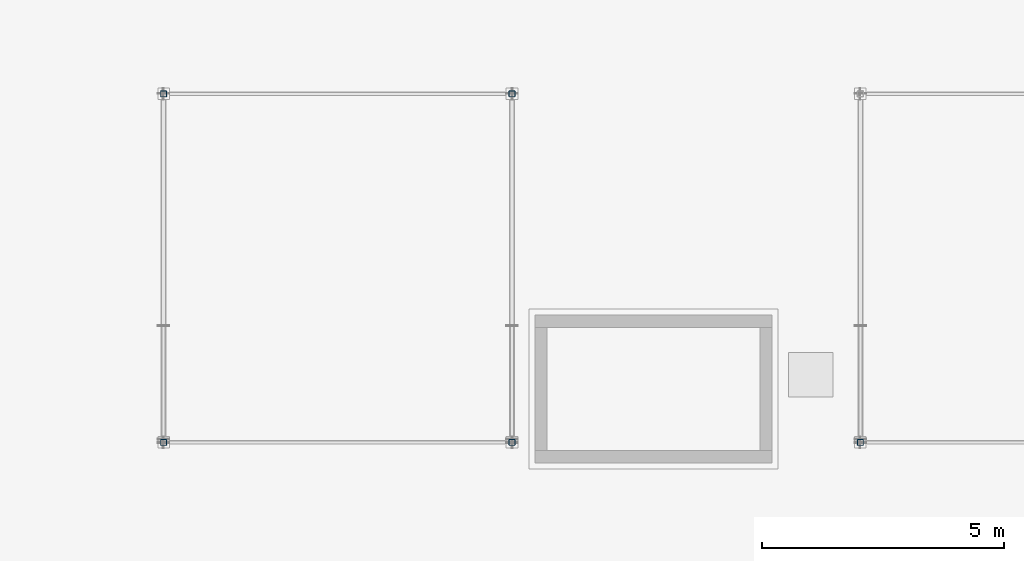
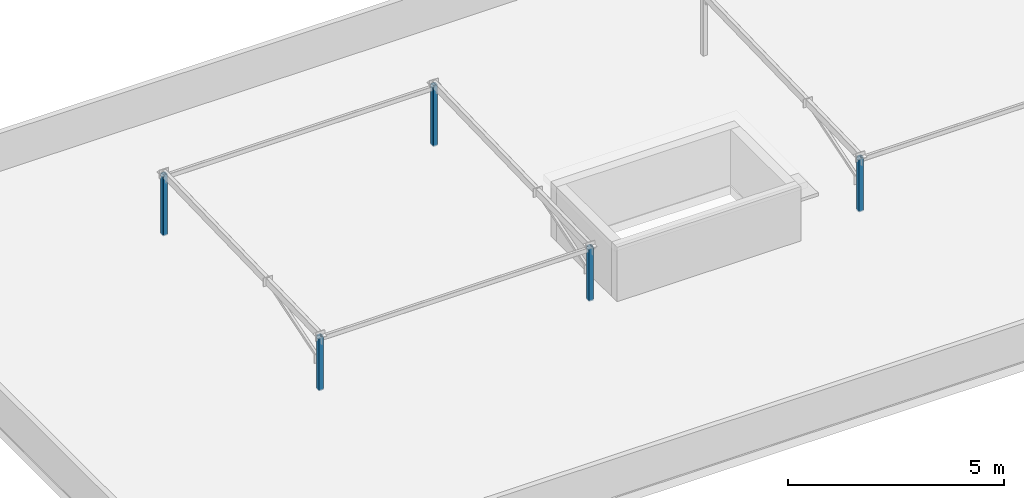
# One storey, part 1 of 31: 5 columns.
"""IFC4 building model written with IfcOpenShell, lengths in metres."""

from ifc_helpers import new_model, si_unit, direction, frame, origin, origin_2d, place, context, subcontext, project, spatial, hollow_rectangle, extrude, material, material_profile, profile_set, type_object, element, save


model = new_model("IFC4")

# Units and contexts
model_context = context("Model", 3, precision=1e-05, world=origin(), true_north=direction((0.0, 1.0)))
body_context = subcontext(model_context, "Body", "Model", "MODEL_VIEW")
ifc_project = project(units=[si_unit("LENGTHUNIT", "METRE"), si_unit("AREAUNIT", "SQUARE_METRE"), si_unit("VOLUMEUNIT", "CUBIC_METRE"), si_unit("PLANEANGLEUNIT", "RADIAN"), si_unit("MASSUNIT", "GRAM", prefix="KILO")], contexts=[model_context])

# Site, building, storey
site_placement = place(None, origin())
site = spatial("IfcSite", under=ifc_project, at=site_placement, CompositionType="ELEMENT")
building_placement = place(site_placement, origin())
building = spatial("IfcBuilding", under=site, at=building_placement, Name="Ochrevale Crest", CompositionType="ELEMENT")
storey_placement = place(building_placement, frame((0.0, 0.0, 37.050048828125)))
storey = spatial("IfcBuildingStorey", under=building, at=storey_placement, Name="L11", CompositionType="ELEMENT", Elevation=37.050048828125)

# Columns
ifc_material = material(Name="Steel S355", Category="steel")
ifc_material_profile = material_profile(ifc_material, hollow_rectangle(XDim=0.125, YDim=0.125, WallThickness=0.006103515625, InnerFilletRadius=0.006103515625, OuterFilletRadius=0.011962890625, at=origin_2d()), Name="125x125x6.0SHS")
ifc_profile_set = profile_set([ifc_material_profile], Name="Steel S355")
column_type = type_object("IfcColumnType", Name="COL-SHS125", PredefinedType="COLUMN", material=ifc_profile_set)
column_1_placement = place(storey_placement, frame((7.199951171875, 79.199951171875, 0.0), z_axis=(0.0, 0.0, 1.0), x_axis=(1.0, 0.0, 0.0)))
element("IfcColumn", 1, at=column_1_placement, inside=storey, type_object=column_type, Name="Block B solar-frame support post", PredefinedType="COLUMN", context=body_context, shape_type="SweptSolid", body=[
    extrude(hollow_rectangle(XDim=0.125, YDim=0.125, WallThickness=0.006103515625, InnerFilletRadius=0.006103515625, OuterFilletRadius=0.011962890625, at=origin_2d()), origin(), (0.0, 0.0, 1.0), 1.52001953125),
])
column_2_placement = place(storey_placement, frame((7.199951171875, 86.39990234375, 0.0), z_axis=(0.0, 0.0, 1.0), x_axis=(1.0, 0.0, 0.0)))
element("IfcColumn", 2, at=column_2_placement, inside=storey, type_object=column_type, Name="Block B solar-frame support post", PredefinedType="COLUMN", context=body_context, shape_type="SweptSolid", body=[
    extrude(hollow_rectangle(XDim=0.125, YDim=0.125, WallThickness=0.006103515625, InnerFilletRadius=0.006103515625, OuterFilletRadius=0.011962890625, at=origin_2d()), origin(), (0.0, 0.0, 1.0), 1.719970703125),
])
column_3_placement = place(storey_placement, frame((14.39990234375, 79.199951171875, 0.0), z_axis=(0.0, 0.0, 1.0), x_axis=(1.0, 0.0, 0.0)))
element("IfcColumn", 3, at=column_3_placement, inside=storey, type_object=column_type, Name="Block B solar-frame support post", PredefinedType="COLUMN", context=body_context, shape_type="SweptSolid", body=[
    extrude(hollow_rectangle(XDim=0.125, YDim=0.125, WallThickness=0.006103515625, InnerFilletRadius=0.006103515625, OuterFilletRadius=0.011962890625, at=origin_2d()), origin(), (0.0, 0.0, 1.0), 1.52001953125),
])
column_4_placement = place(storey_placement, frame((14.39990234375, 86.39990234375, 0.0), z_axis=(0.0, 0.0, 1.0), x_axis=(1.0, 0.0, 0.0)))
element("IfcColumn", 4, at=column_4_placement, inside=storey, type_object=column_type, Name="Block B solar-frame support post", PredefinedType="COLUMN", context=body_context, shape_type="SweptSolid", body=[
    extrude(hollow_rectangle(XDim=0.125, YDim=0.125, WallThickness=0.006103515625, InnerFilletRadius=0.006103515625, OuterFilletRadius=0.011962890625, at=origin_2d()), origin(), (0.0, 0.0, 1.0), 1.719970703125),
])
column_5_placement = place(storey_placement, frame((21.60009765625, 79.199951171875, 0.0), z_axis=(0.0, 0.0, 1.0), x_axis=(1.0, 0.0, 0.0)))
element("IfcColumn", 5, at=column_5_placement, inside=storey, type_object=column_type, Name="Block B solar-frame support post", PredefinedType="COLUMN", context=body_context, shape_type="SweptSolid", body=[
    extrude(hollow_rectangle(XDim=0.125, YDim=0.125, WallThickness=0.006103515625, InnerFilletRadius=0.006103515625, OuterFilletRadius=0.011962890625, at=origin_2d()), origin(), (0.0, 0.0, 1.0), 1.52001953125),
])

save(model, "model.ifc")
